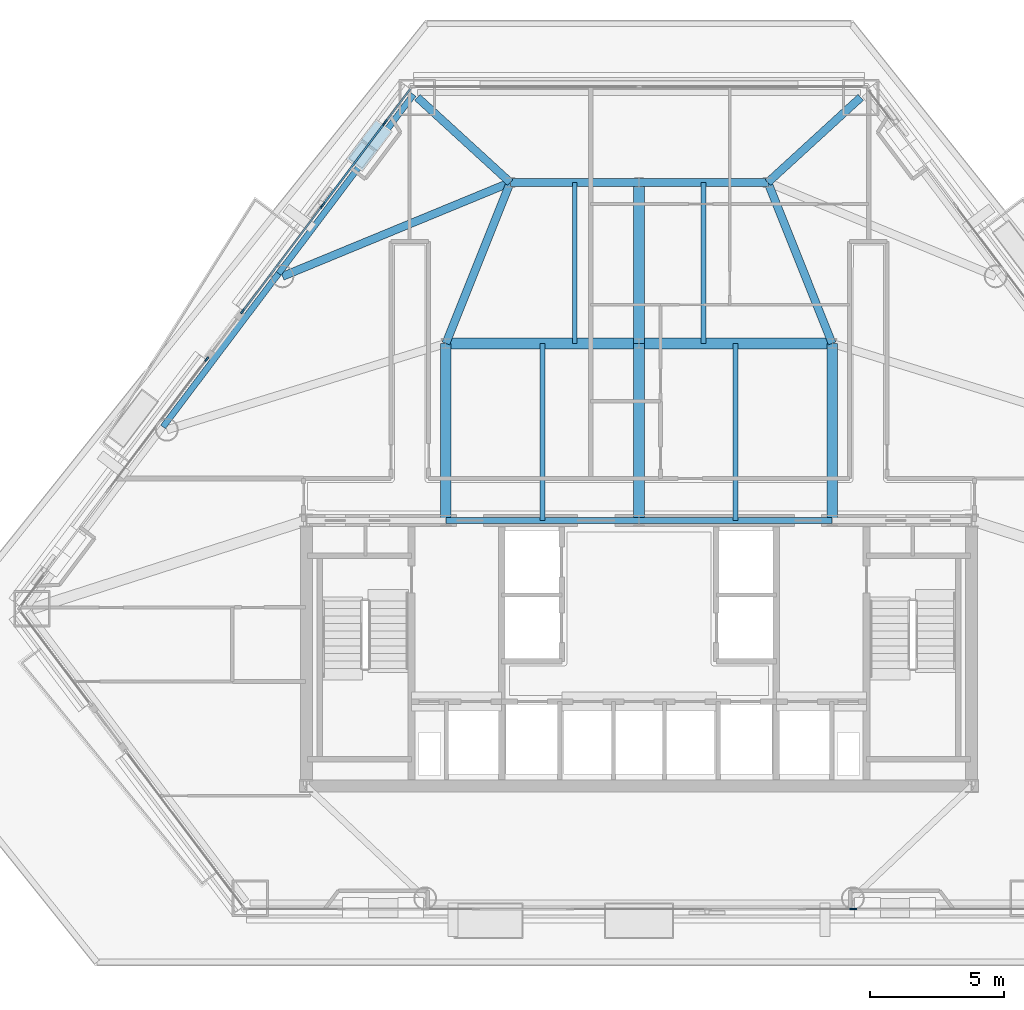
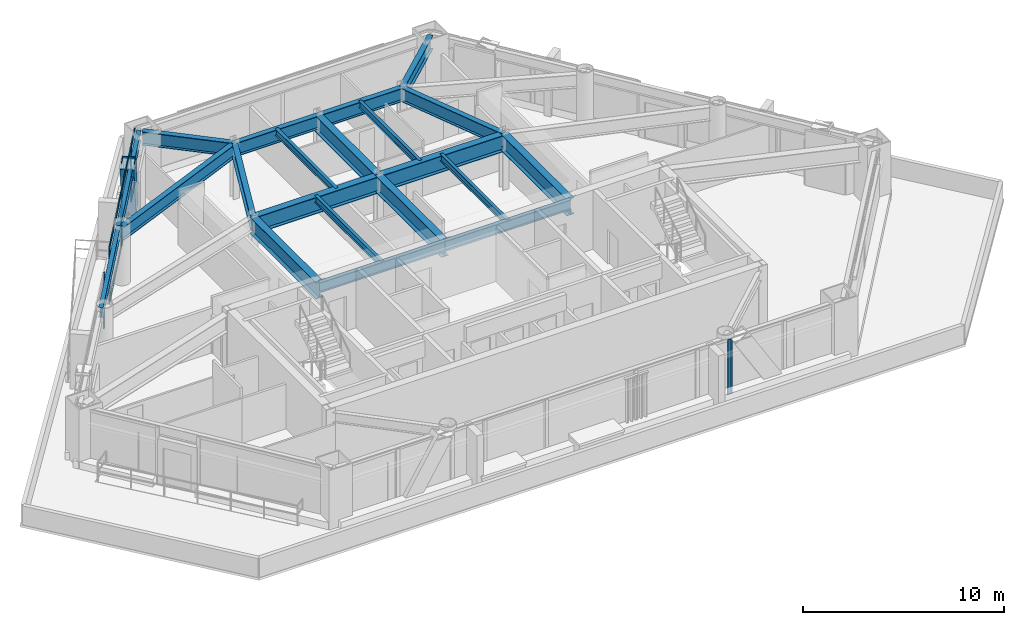
# One storey, part 3 of 13: 21 beams, 15 members, 6 elements without a shape of their own.
"""IFC4 building model written with IfcOpenShell, lengths in metres."""

from ifc_helpers import new_model, si_unit, direction, frame, origin, origin_2d, place, context, subcontext, project, spatial, rectangle, hollow_rectangle, i_section, extrude, material, layer, layer_set, material_profile, profile_set, type_object, element, aggregate, save


model = new_model("IFC4")

# Units and contexts
model_context = context("Model", 3, precision=1e-05, world=origin(), true_north=direction((0.0, 1.0)))
body_context = subcontext(model_context, "Body", "Model", "MODEL_VIEW")
ifc_project = project(units=[si_unit("LENGTHUNIT", "METRE"), si_unit("AREAUNIT", "SQUARE_METRE"), si_unit("VOLUMEUNIT", "CUBIC_METRE"), si_unit("PLANEANGLEUNIT", "RADIAN"), si_unit("MASSUNIT", "GRAM", prefix="KILO")], contexts=[model_context])

# Site, building, storey
site_placement = place(None, origin())
site = spatial("IfcSite", under=ifc_project, at=site_placement, CompositionType="ELEMENT")
building_placement = place(site_placement, origin())
building = spatial("IfcBuilding", under=site, at=building_placement, Name="Talgorran Terracotta Tower", CompositionType="ELEMENT")
storey_placement = place(building_placement, frame((0.0, 0.0, 24.300048828125)))
storey = spatial("IfcBuildingStorey", under=building, at=storey_placement, Name="L05", CompositionType="ELEMENT", Elevation=24.300048828125)

# Beams
ifc_material_1 = material(Name="Steel Grade 350 (350L0)", Category="steel")
ifc_material_profile_1 = material_profile(ifc_material_1, i_section(OverallWidth=0.39990234375, OverallDepth=1.0, WebThickness=0.01611328125, FlangeThickness=0.031005859375, at=origin_2d()), Name="1000WB296")
ifc_profile_set_1 = profile_set([ifc_material_profile_1], Name="Steel Grade 350 (350L0)")
beam_type_1 = type_object("IfcBeamType", Name="BM_1000WB296", PredefinedType="BEAM", material=ifc_profile_set_1)
for number, where, z_axis, x_axis, name in (
    (1, (-7.199951171875, -4.199951171875, 2.849853515625), (0.0, 1.0, 0.0), (-1.0, 0.0, 0.0), "L05 Floor Girder G01"),
    (2, (0.0, -4.199951171875, 2.849853515625), (0.0, 1.0, 0.0), (-1.0, 0.0, 0.0), "L05 Floor Girder G02"),
    (3, (7.199951171875, -4.199951171875, 2.849853515625), (0.0, 1.0, 0.0), (-1.0, 0.0, 0.0), "L05 Floor Girder G03"),
):
    element("IfcBeam", number, at=place(storey_placement, frame(where, z_axis=z_axis, x_axis=x_axis)), inside=storey, type_object=beam_type_1, Name=name, PredefinedType="BEAM", context=body_context, shape_type="SweptSolid", body=[
        extrude(i_section(OverallWidth=0.39990234375, OverallDepth=1.0, WebThickness=0.01611328125, FlangeThickness=0.031005859375, at=origin_2d()), origin(), (0.0, 0.0, 1.0), 6.599853515625),
    ])
for number, where, z_axis, x_axis, name in (
    (4, (-7.199951171875, 2.39990234375, 2.849853515625), (1.0, 0.0, 0.0), (0.0, 1.0, 0.0), "L05 Floor Girder G04"),
    (5, (0.0, 2.39990234375, 2.849853515625), (1.0, 0.0, 0.0), (0.0, 1.0, 0.0), "L05 Floor Girder G05"),
):
    element("IfcBeam", number, at=place(storey_placement, frame(where, z_axis=z_axis, x_axis=x_axis)), inside=storey, type_object=beam_type_1, Name=name, PredefinedType="BEAM", context=body_context, shape_type="SweptSolid", body=[
        extrude(i_section(OverallWidth=0.39990234375, OverallDepth=1.0, WebThickness=0.01611328125, FlangeThickness=0.031005859375, at=origin_2d()), origin(), (0.0, 0.0, 1.0), 7.199951171875),
    ])
beam_1_placement = place(storey_placement, frame((0.0, 2.39990234375, 2.849853515625), z_axis=(0.0, 1.0, 0.0), x_axis=(-1.0, 0.0, 0.0)))
element("IfcBeam", 6, at=beam_1_placement, inside=storey, type_object=beam_type_1, Name="L05 Floor Girder G09", PredefinedType="BEAM", context=body_context, shape_type="SweptSolid", body=[
    extrude(i_section(OverallWidth=0.39990234375, OverallDepth=1.0, WebThickness=0.01611328125, FlangeThickness=0.031005859375, at=origin_2d()), origin(), (0.0, 0.0, 1.0), 6.0),
])
ifc_material_2 = material(Name="Steel S355 (300PLUS)", Category="steel")
ifc_material_profile_2 = material_profile(ifc_material_2, i_section(OverallWidth=0.300048828125, OverallDepth=0.81591796875, WebThickness=0.013916015625, FlangeThickness=0.028076171875, at=origin_2d()), Name="800WB192")
ifc_profile_set_2 = profile_set([ifc_material_profile_2], Name="Steel S355 (300PLUS)")
beam_type_2 = type_object("IfcBeamType", Name="BM_800WB192", PredefinedType="BEAM", material=ifc_profile_set_2)
for number, where, z_axis, x_axis, name in (
    (7, (-7.199951171875, 2.39990234375, 2.94189453125), (0.371377648723, 0.928481901832, 0.0), (-0.928481901832, 0.371377648723, 0.0), "L05 Floor Girder G08"),
    (8, (7.199951171875, 2.39990234375, 2.94189453125), (-0.371377648723, 0.928481901832, 0.0), (-0.928481901832, -0.371377648723, 0.0), "L05 Floor Girder G10"),
):
    element("IfcBeam", number, at=place(storey_placement, frame(where, z_axis=z_axis, x_axis=x_axis)), inside=storey, type_object=beam_type_2, Name=name, PredefinedType="BEAM", context=body_context, shape_type="SweptSolid", body=[
        extrude(i_section(OverallWidth=0.300048828125, OverallDepth=0.81591796875, WebThickness=0.013916015625, FlangeThickness=0.028076171875, at=origin_2d()), origin(), (0.0, 0.0, 1.0), 6.462158203125),
    ])
for number, where, z_axis, x_axis, name in (
    (9, (-4.800048828125, 8.39990234375, 2.94189453125), (1.0, 0.0, 0.0), (0.0, 1.0, 0.0), "L05 Floor Girder G11"),
    (10, (0.0, 8.39990234375, 2.94189453125), (1.0, 0.0, 0.0), (0.0, 1.0, 0.0), "L05 Floor Girder G12"),
):
    element("IfcBeam", number, at=place(storey_placement, frame(where, z_axis=z_axis, x_axis=x_axis)), inside=storey, type_object=beam_type_2, Name=name, PredefinedType="BEAM", context=body_context, shape_type="SweptSolid", body=[
        extrude(i_section(OverallWidth=0.300048828125, OverallDepth=0.81591796875, WebThickness=0.013916015625, FlangeThickness=0.028076171875, at=origin_2d()), origin(), (0.0, 0.0, 1.0), 4.800048828125),
    ])
beam_2_placement = place(storey_placement, frame((-4.800048828125, 8.39990234375, 2.94189453125), z_axis=(-0.924495756371, -0.381192335249, 0.0), x_axis=(0.381192335249, -0.924495756371, 0.0)))
element("IfcBeam", 11, at=beam_2_placement, inside=storey, type_object=beam_type_2, Name="L05 Floor Girder G13", PredefinedType="BEAM", context=body_context, shape_type="SweptSolid", body=[
    extrude(i_section(OverallWidth=0.300048828125, OverallDepth=0.81591796875, WebThickness=0.013916015625, FlangeThickness=0.028076171875, at=origin_2d()), origin(), (0.0, 0.0, 1.0), 9.18359375),
])
for number, where, z_axis, x_axis, name in (
    (12, (-4.800048828125, 8.39990234375, 2.94189453125), (-0.737592142267, 0.675246496967, 0.0), (-0.675246496967, -0.737592142267, 0.0), "L05 Floor Girder G15"),
    (13, (4.800048828125, 8.39990234375, 2.94189453125), (0.737592142267, 0.675246496967, 0.0), (-0.675246496967, 0.737592142267, 0.0), "L05 Floor Girder G16"),
):
    element("IfcBeam", number, at=place(storey_placement, frame(where, z_axis=z_axis, x_axis=x_axis)), inside=storey, type_object=beam_type_2, Name=name, PredefinedType="BEAM", context=body_context, shape_type="SweptSolid", body=[
        extrude(i_section(OverallWidth=0.300048828125, OverallDepth=0.81591796875, WebThickness=0.013916015625, FlangeThickness=0.028076171875, at=origin_2d()), origin(), (0.0, 0.0, 1.0), 4.695068359375),
    ])
ifc_material_profile_3 = material_profile(ifc_material_2, i_section(OverallWidth=0.177734375, OverallDepth=0.406494140625, WebThickness=0.0078125, FlangeThickness=0.0126953125, at=origin_2d()), Name="410UB59.7")
ifc_profile_set_3 = profile_set([ifc_material_profile_3], Name="Steel S355 (300PLUS)")
beam_type_3 = type_object("IfcBeamType", Name="BM_JS_410UB60", PredefinedType="JOIST", material=ifc_profile_set_3)
for number, where, z_axis, x_axis, name in (
    (14, (-3.60009765625, -4.199951171875, 3.146728515625), (0.0, 1.0, 0.0), (-1.0, 0.0, 0.0), "L05 Secondary Joist J01"),
    (15, (3.60009765625, -4.199951171875, 3.146728515625), (0.0, 1.0, 0.0), (-1.0, 0.0, 0.0), "L05 Secondary Joist J02"),
):
    element("IfcBeam", number, at=place(storey_placement, frame(where, z_axis=z_axis, x_axis=x_axis)), inside=storey, type_object=beam_type_3, Name=name, PredefinedType="JOIST", context=body_context, shape_type="SweptSolid", body=[
        extrude(i_section(OverallWidth=0.177734375, OverallDepth=0.406494140625, WebThickness=0.0078125, FlangeThickness=0.0126953125, at=origin_2d()), origin(), (0.0, 0.0, 1.0), 6.599853515625),
    ])
for number, where, z_axis, x_axis, name in (
    (16, (-2.39990234375, 2.39990234375, 3.146728515625), (0.0, 1.0, 0.0), (-1.0, 0.0, 0.0), "L05 Secondary Joist J03"),
    (17, (2.39990234375, 2.39990234375, 3.146728515625), (0.0, 1.0, 0.0), (-1.0, 0.0, 0.0), "L05 Secondary Joist J04"),
):
    element("IfcBeam", number, at=place(storey_placement, frame(where, z_axis=z_axis, x_axis=x_axis)), inside=storey, type_object=beam_type_3, Name=name, PredefinedType="JOIST", context=body_context, shape_type="SweptSolid", body=[
        extrude(i_section(OverallWidth=0.177734375, OverallDepth=0.406494140625, WebThickness=0.0078125, FlangeThickness=0.0126953125, at=origin_2d()), origin(), (0.0, 0.0, 1.0), 6.0),
    ])
ifc_material_profile_4 = material_profile(ifc_material_2, i_section(OverallWidth=0.22900390625, OverallDepth=0.611572265625, WebThickness=0.011962890625, FlangeThickness=0.01953125, at=origin_2d()), Name="610UB125")
ifc_profile_set_4 = profile_set([ifc_material_profile_4], Name="Steel S355 (300PLUS)")
beam_type_4 = type_object("IfcBeamType", Name="BM_SP_610UB125", PredefinedType="SPANDREL", material=ifc_profile_set_4)
beam_3_placement = place(storey_placement, frame((-8.406982421875, 11.6787109375, 3.044189453125), z_axis=(-0.601803503312, -0.798644190739, 0.0), x_axis=(0.798644190739, -0.601803503312, 0.0)))
element("IfcBeam", 18, at=beam_3_placement, inside=storey, type_object=beam_type_4, Name="L05 Perimeter Spandrel Beam MC6-FC5", PredefinedType="SPANDREL", context=body_context, shape_type="SweptSolid", body=[
    extrude(i_section(OverallWidth=0.22900390625, OverallDepth=0.611572265625, WebThickness=0.011962890625, FlangeThickness=0.01953125, at=origin_2d()), origin(), (0.0, 0.0, 1.0), 8.353271484375),
])
beam_4_placement = place(storey_placement, frame((-13.43408203125, 5.00732421875, 3.044189453125), z_axis=(-0.601837001902, -0.798618947397, 0.0), x_axis=(0.798618947397, -0.601837001902, 0.0)))
element("IfcBeam", 19, at=beam_4_placement, inside=storey, type_object=beam_type_4, Name="L05 Perimeter Spandrel Beam FC5-FC6", PredefinedType="SPANDREL", context=body_context, shape_type="SweptSolid", body=[
    extrude(i_section(OverallWidth=0.22900390625, OverallDepth=0.611572265625, WebThickness=0.011962890625, FlangeThickness=0.01953125, at=origin_2d()), origin(), (0.0, 0.0, 1.0), 7.159912109375),
])
for number, where, z_axis, x_axis, name in (
    (20, (-7.199951171875, -4.199951171875, 3.044189453125), (1.0, 0.0, 0.0), (0.0, 1.0, 0.0), "L05 Core Frame Beam CFN2"),
    (21, (0.0, -4.199951171875, 3.044189453125), (1.0, 0.0, 0.0), (0.0, 1.0, 0.0), "L05 Core Frame Beam CFN3"),
):
    element("IfcBeam", number, at=place(storey_placement, frame(where, z_axis=z_axis, x_axis=x_axis)), inside=storey, type_object=beam_type_4, Name=name, PredefinedType="SPANDREL", context=body_context, shape_type="SweptSolid", body=[
        extrude(i_section(OverallWidth=0.22900390625, OverallDepth=0.611572265625, WebThickness=0.011962890625, FlangeThickness=0.01953125, at=origin_2d()), origin(), (0.0, 0.0, 1.0), 7.199951171875),
    ])

# Member
ifc_material_profile_5 = material_profile(ifc_material_1, hollow_rectangle(XDim=0.699951171875, YDim=0.89990234375, WallThickness=0.050048828125, at=origin_2d()), Name="WBOX900X700X50")
ifc_profile_set_5 = profile_set([ifc_material_profile_5], Name="Steel Grade 350 (350L0)")
member_type_1 = type_object("IfcMemberType", Name="MB_MEGA_900", PredefinedType="BRACE", material=ifc_profile_set_5)
member_1_placement = place(storey_placement, frame((-9.7890625, 10.143798828125, -0.025146484375), z_axis=(-0.153958005751, -0.204351834505, 0.966714673624), x_axis=(0.79869589423, -0.60173488227, 0.0)))
element("IfcMember", 22, at=member_1_placement, inside=storey, type_object=member_type_1, Name="L05 Exterior Face Mega-Brace MB-1 (NWU)", PredefinedType="BRACE", context=body_context, shape_type="SweptSolid", body=[
    extrude(hollow_rectangle(XDim=0.699951171875, YDim=0.89990234375, WallThickness=0.050048828125, at=origin_2d()), origin(), (0.0, 0.0, 1.0), 3.517333984375),
])

# Curtain wall, member
ifc_material_3 = material(Name="Unitised Low-E Double Glazing", Category="glass")
ifc_layer = layer(ifc_material_3, 0.199951171875, Name="CW_SYS2_RES_LOW")
ifc_layer_set = layer_set([ifc_layer], Name="Unitised Low-E Double Glazing")
curtain_wall_type = type_object("IfcCurtainWallType", Name="CW_SYS2_RES_LOW", PredefinedType="NOTDEFINED", material=ifc_layer_set)
curtain_wall_1_placement = place(storey_placement, origin())
curtain_wall_1 = element("IfcCurtainWall", 23, at=curtain_wall_1_placement, inside=storey, type_object=curtain_wall_type, Name="CW-L05-F1G", PredefinedType="NOTDEFINED")
ifc_material_4 = material(Name="Architectural Aluminium 6063-T6", Category="aluminium")
ifc_material_profile_6 = material_profile(ifc_material_4, rectangle(XDim=0.06494140625, YDim=0.18505859375, at=origin_2d()), Name="CWM65X185")
ifc_profile_set_6 = profile_set([ifc_material_profile_6], Name="Architectural Aluminium 6063-T6")
member_type_2 = type_object("IfcMemberType", Name="MUL_65X185", PredefinedType="MULLION", material=ifc_profile_set_6)
member_2_placement = place(storey_placement, frame((7.939208984375, -18.679931640625, 0.0), z_axis=(0.0, 0.0, 1.0), x_axis=(0.0, 1.0, 0.0)))
member_2 = element("IfcMember", 24, at=member_2_placement, type_object=member_type_2, Name="CW-L05-1G mullion 2", PredefinedType="MULLION", context=body_context, shape_type="SweptSolid", body=[
    extrude(rectangle(XDim=0.06494140625, YDim=0.18505859375, at=origin_2d()), origin(), (0.0, 0.0, 1.0), 3.349853515625),
])
aggregate(curtain_wall_1, [member_2])

curtain_wall_2_placement = place(storey_placement, origin())
curtain_wall_2 = element("IfcCurtainWall", 25, at=curtain_wall_2_placement, inside=storey, type_object=curtain_wall_type, Name="CW-L05-F1H", PredefinedType="NOTDEFINED")
member_3_placement = place(storey_placement, frame((8.01416015625, -18.679931640625, 0.0), z_axis=(0.0, 0.0, 1.0), x_axis=(0.0, 1.0, 0.0)))
member_3 = element("IfcMember", 26, at=member_3_placement, type_object=member_type_2, Name="CW-L05-1H mullion 1", PredefinedType="MULLION", context=body_context, shape_type="SweptSolid", body=[
    extrude(rectangle(XDim=0.06494140625, YDim=0.18505859375, at=origin_2d()), origin(), (0.0, 0.0, 1.0), 3.349853515625),
])
aggregate(curtain_wall_2, [member_3])

curtain_wall_3_placement = place(storey_placement, origin())
curtain_wall_3 = element("IfcCurtainWall", 27, at=curtain_wall_3_placement, inside=storey, type_object=curtain_wall_type, Name="CW-L05-F60", PredefinedType="NOTDEFINED")
member_4_placement = place(storey_placement, frame((-9.4462890625, 10.6650390625, 0.0), z_axis=(0.0, 0.0, 1.0), x_axis=(0.798648355676, -0.601797976048, 0.0)))
member_4 = element("IfcMember", 28, at=member_4_placement, type_object=member_type_2, Name="CW-L05-60 mullion 2", PredefinedType="MULLION", context=body_context, shape_type="SweptSolid", body=[
    extrude(rectangle(XDim=0.06494140625, YDim=0.18505859375, at=origin_2d()), origin(), (0.0, 0.0, 1.0), 3.349853515625),
])

# Curtain wall, members
curtain_wall_4_placement = place(storey_placement, origin())
curtain_wall_4 = element("IfcCurtainWall", 29, at=curtain_wall_4_placement, inside=storey, type_object=curtain_wall_type, Name="CW-L05-F60B", PredefinedType="NOTDEFINED")
member_5_placement = place(storey_placement, frame((-9.491455078125, 10.605224609375, 0.0), z_axis=(0.0, 0.0, 1.0), x_axis=(0.798636044714, -0.601814313624, 0.0)))
member_5 = element("IfcMember", 30, at=member_5_placement, type_object=member_type_2, Name="CW-L05-60B mullion 1", PredefinedType="MULLION", context=body_context, shape_type="SweptSolid", body=[
    extrude(rectangle(XDim=0.06494140625, YDim=0.18505859375, at=origin_2d()), origin(), (0.0, 0.0, 1.0), 3.349853515625),
])
member_6_placement = place(storey_placement, frame((-11.77490234375, 7.574951171875, 0.0), z_axis=(0.0, 0.0, 1.0), x_axis=(0.798636044714, -0.601814313624, 0.0)))
member_6 = element("IfcMember", 31, at=member_6_placement, type_object=member_type_2, Name="CW-L05-60B mullion 2", PredefinedType="MULLION", context=body_context, shape_type="SweptSolid", body=[
    extrude(rectangle(XDim=0.06494140625, YDim=0.18505859375, at=origin_2d()), origin(), (0.0, 0.0, 1.0), 3.349853515625),
])

curtain_wall_5_placement = place(storey_placement, origin())
curtain_wall_5 = element("IfcCurtainWall", 32, at=curtain_wall_5_placement, inside=storey, type_object=curtain_wall_type, Name="CW-L05-F60C", PredefinedType="NOTDEFINED")
member_7_placement = place(storey_placement, frame((-11.820068359375, 7.514892578125, 0.0), z_axis=(0.0, 0.0, 1.0), x_axis=(0.798644404696, -0.601803219374, 0.0)))
member_7 = element("IfcMember", 33, at=member_7_placement, type_object=member_type_2, Name="CW-L05-60C mullion 1", PredefinedType="MULLION", context=body_context, shape_type="SweptSolid", body=[
    extrude(rectangle(XDim=0.06494140625, YDim=0.18505859375, at=origin_2d()), origin(), (0.0, 0.0, 1.0), 3.349853515625),
])
member_8_placement = place(storey_placement, frame((-14.77392578125, 3.5947265625, 0.0), z_axis=(0.0, 0.0, 1.0), x_axis=(0.798644404696, -0.601803219374, 0.0)))
member_8 = element("IfcMember", 34, at=member_8_placement, type_object=member_type_2, Name="CW-L05-60C mullion 2", PredefinedType="MULLION", context=body_context, shape_type="SweptSolid", body=[
    extrude(rectangle(XDim=0.06494140625, YDim=0.18505859375, at=origin_2d()), origin(), (0.0, 0.0, 1.0), 3.349853515625),
])

# Curtain wall, member
curtain_wall_6_placement = place(storey_placement, origin())
curtain_wall_6 = element("IfcCurtainWall", 35, at=curtain_wall_6_placement, inside=storey, type_object=curtain_wall_type, Name="CW-L05-F61", PredefinedType="NOTDEFINED")
member_9_placement = place(storey_placement, frame((-16.113037109375, 1.81787109375, 0.0), z_axis=(0.0, 0.0, 1.0), x_axis=(0.798641578125, -0.601806970457, 0.0)))
member_9 = element("IfcMember", 36, at=member_9_placement, type_object=member_type_2, Name="CW-L05-61 mullion 1", PredefinedType="MULLION", context=body_context, shape_type="SweptSolid", body=[
    extrude(rectangle(XDim=0.06494140625, YDim=0.18505859375, at=origin_2d()), origin(), (0.0, 0.0, 1.0), 3.349853515625),
])
aggregate(curtain_wall_6, [member_9])

# Member
ifc_material_profile_7 = material_profile(ifc_material_4, rectangle(XDim=0.06494140625, YDim=0.14990234375, at=origin_2d()), Name="CWT65X150")
ifc_profile_set_7 = profile_set([ifc_material_profile_7], Name="Architectural Aluminium 6063-T6")
member_type_3 = type_object("IfcMemberType", Name="TRN_65X150", PredefinedType="USERDEFINED", material=ifc_profile_set_7)
member_10_placement = place(storey_placement, frame((-8.52587890625, 11.886474609375, 0.032470703125), z_axis=(-0.601798984676, -0.798647595653, 0.0), x_axis=(0.798647595653, -0.601798984676, 0.0)))
member_10 = element("IfcMember", 37, at=member_10_placement, type_object=member_type_3, Name="CW-L05-60 transom 1.1", ObjectType="TRANSOM", PredefinedType="USERDEFINED", context=body_context, shape_type="SweptSolid", body=[
    extrude(rectangle(XDim=0.06494140625, YDim=0.14990234375, at=origin_2d()), origin(), (0.0, 0.0, 1.0), 1.4970703125),
])

member_11_placement = place(storey_placement, frame((-8.52587890625, 11.886474609375, 3.3173828125), z_axis=(-0.601798984676, -0.798647595653, 0.0), x_axis=(0.798647595653, -0.601798984676, 0.0)))
member_11 = element("IfcMember", 38, at=member_11_placement, type_object=member_type_3, Name="CW-L05-60 transom 1.2", ObjectType="TRANSOM", PredefinedType="USERDEFINED", context=body_context, shape_type="SweptSolid", body=[
    extrude(rectangle(XDim=0.06494140625, YDim=0.14990234375, at=origin_2d()), origin(), (0.0, 0.0, 1.0), 1.4970703125),
])

aggregate(curtain_wall_3, [member_4, member_10, member_11])

member_12_placement = place(storey_placement, frame((-9.510986328125, 10.5791015625, 0.032470703125), z_axis=(-0.601831480699, -0.79862310813, 0.0), x_axis=(0.79862310813, -0.601831480699, 0.0)))
member_12 = element("IfcMember", 39, at=member_12_placement, type_object=member_type_3, Name="CW-L05-60B transom 1.1", ObjectType="TRANSOM", PredefinedType="USERDEFINED", context=body_context, shape_type="SweptSolid", body=[
    extrude(rectangle(XDim=0.06494140625, YDim=0.14990234375, at=origin_2d()), origin(), (0.0, 0.0, 1.0), 3.729248046875),
])

member_13_placement = place(storey_placement, frame((-9.510986328125, 10.5791015625, 3.3173828125), z_axis=(-0.601831480699, -0.79862310813, 0.0), x_axis=(0.79862310813, -0.601831480699, 0.0)))
member_13 = element("IfcMember", 40, at=member_13_placement, type_object=member_type_3, Name="CW-L05-60B transom 1.2", ObjectType="TRANSOM", PredefinedType="USERDEFINED", context=body_context, shape_type="SweptSolid", body=[
    extrude(rectangle(XDim=0.06494140625, YDim=0.14990234375, at=origin_2d()), origin(), (0.0, 0.0, 1.0), 3.729248046875),
])

aggregate(curtain_wall_4, [member_5, member_6, member_12, member_13])

member_14_placement = place(storey_placement, frame((-11.839599609375, 7.489013671875, 0.032470703125), z_axis=(-0.601780818499, -0.798661283954, 0.0), x_axis=(0.798661283954, -0.601780818499, 0.0)))
member_14 = element("IfcMember", 41, at=member_14_placement, type_object=member_type_3, Name="CW-L05-60C transom 1.1", ObjectType="TRANSOM", PredefinedType="USERDEFINED", context=body_context, shape_type="SweptSolid", body=[
    extrude(rectangle(XDim=0.06494140625, YDim=0.14990234375, at=origin_2d()), origin(), (0.0, 0.0, 1.0), 4.843505859375),
])

member_15_placement = place(storey_placement, frame((-11.839599609375, 7.489013671875, 3.3173828125), z_axis=(-0.601780818499, -0.798661283954, 0.0), x_axis=(0.798661283954, -0.601780818499, 0.0)))
member_15 = element("IfcMember", 42, at=member_15_placement, type_object=member_type_3, Name="CW-L05-60C transom 1.2", ObjectType="TRANSOM", PredefinedType="USERDEFINED", context=body_context, shape_type="SweptSolid", body=[
    extrude(rectangle(XDim=0.06494140625, YDim=0.14990234375, at=origin_2d()), origin(), (0.0, 0.0, 1.0), 4.843505859375),
])

aggregate(curtain_wall_5, [member_7, member_8, member_14, member_15])

save(model, "model.ifc")
